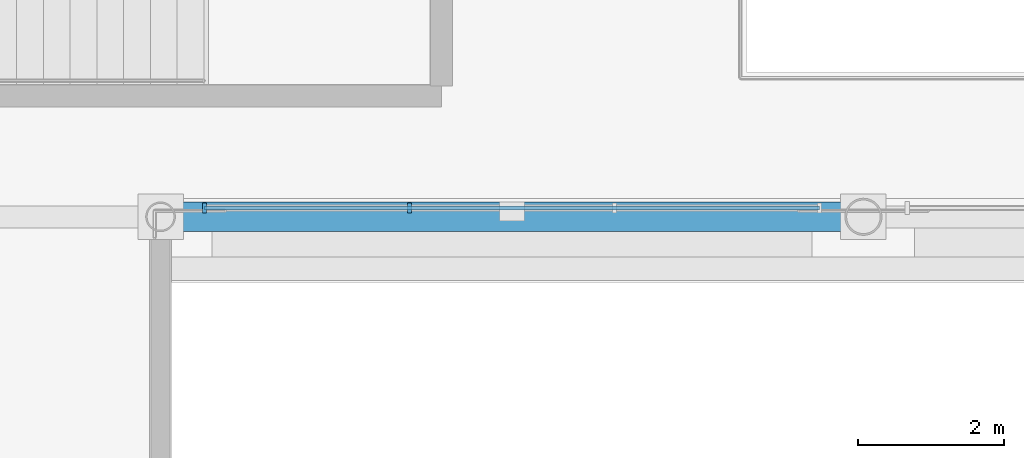
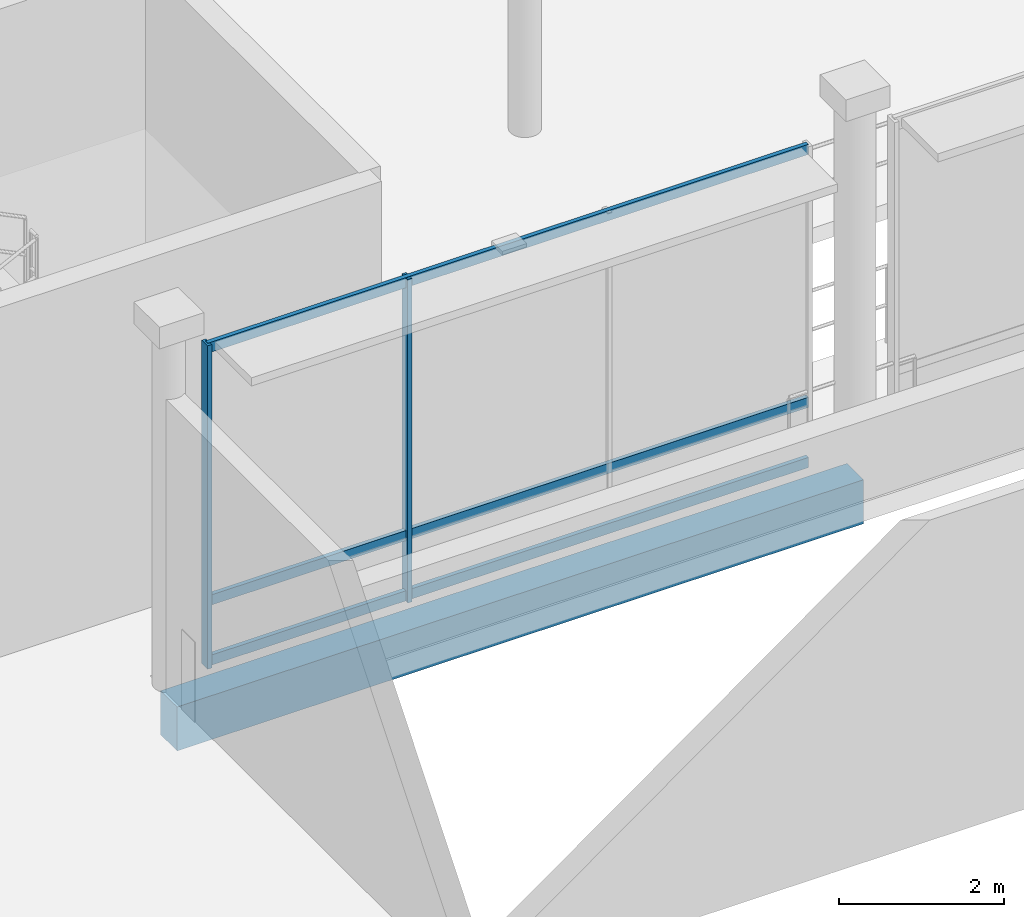
# One storey, part 54 of 129: 5 members, 1 beam, 1 element without a shape of its own.
"""IFC4 building model written with IfcOpenShell, lengths in metres."""

from ifc_helpers import new_model, si_unit, direction, frame, origin, origin_2d, place, context, subcontext, project, spatial, rectangle, extrude, material, material_profile, profile_set, type_object, element, aggregate, save


model = new_model("IFC4")

# Units and contexts
model_context = context("Model", 3, precision=1e-05, world=origin(), true_north=direction((0.0, 1.0)))
body_context = subcontext(model_context, "Body", "Model", "MODEL_VIEW")
ifc_project = project(units=[si_unit("LENGTHUNIT", "METRE"), si_unit("AREAUNIT", "SQUARE_METRE"), si_unit("VOLUMEUNIT", "CUBIC_METRE"), si_unit("PLANEANGLEUNIT", "RADIAN"), si_unit("MASSUNIT", "GRAM", prefix="KILO")], contexts=[model_context])

# Site, building, storey
site_placement = place(None, origin())
site = spatial("IfcSite", under=ifc_project, at=site_placement, CompositionType="ELEMENT")
building_placement = place(site_placement, origin())
building = spatial("IfcBuilding", under=site, at=building_placement, Name="Danafjord Basin Convention Centre", CompositionType="ELEMENT")
storey_placement = place(building_placement, frame((0.0, 0.0, 6.0)))
storey = spatial("IfcBuildingStorey", under=building, at=storey_placement, Name="L01", CompositionType="ELEMENT", Elevation=6.0)

# Beam
ifc_material_1 = material(Name="Precast concrete C45/55", Category="concrete")
ifc_material_profile_1 = material_profile(ifc_material_1, rectangle(XDim=0.39990234375, YDim=0.64990234375, at=origin_2d()), Name="PCB 400x650")
ifc_profile_set_1 = profile_set([ifc_material_profile_1], Name="Precast concrete C45/55")
beam_type = type_object("IfcBeamType", Name="BEAM-SP-PCB650", PredefinedType="SPANDREL", material=ifc_profile_set_1)
beam_placement = place(storey_placement, frame((153.60009765625, 8.0, -0.554931640625), z_axis=(1.0, 0.0, 0.0), x_axis=(0.0, 1.0, 0.0)))
element("IfcBeam", 1, at=beam_placement, inside=storey, type_object=beam_type, Name="L01 girder SP-PCB650", PredefinedType="SPANDREL", context=body_context, shape_type="SweptSolid", body=[
    extrude(rectangle(XDim=0.39990234375, YDim=0.64990234375, at=origin_2d()), origin(), (0.0, 0.0, 1.0), 9.599853515625),
])

# Curtain wall, members
ifc_material_2 = material(Name="Anodised aluminium and triple glazing", Category="aluminium")
curtain_wall_type = type_object("IfcCurtainWallType", Name="CW-CW-HARB", PredefinedType="NOTDEFINED", material=ifc_material_2)
curtain_wall_placement = place(storey_placement, origin())
curtain_wall = element("IfcCurtainWall", 2, at=curtain_wall_placement, inside=storey, type_object=curtain_wall_type, Name="L01 CW-HARB unitised curtain wall bay 145", PredefinedType="NOTDEFINED")
ifc_material_3 = material(Name="Anodised aluminium EN AW-6060", Category="aluminium")
ifc_material_profile_2 = material_profile(ifc_material_3, rectangle(XDim=0.06005859375, YDim=0.139892578125, at=origin_2d()), Name="MULL 60x140")
ifc_profile_set_2 = profile_set([ifc_material_profile_2], Name="Anodised aluminium EN AW-6060")
member_type_1 = type_object("IfcMemberType", Name="MEM-ML-140", PredefinedType="MULLION", material=ifc_profile_set_2)
member_1_placement = place(storey_placement, frame((154.199951171875, 8.1201171875, -0.02490234375), z_axis=(0.0, 0.0, 1.0), x_axis=(1.0, 0.0, 0.0)))
member_1 = element("IfcMember", 3, at=member_1_placement, type_object=member_type_1, Name="CW-L01-145 mullion 1", PredefinedType="MULLION", context=body_context, shape_type="SweptSolid", body=[
    extrude(rectangle(XDim=0.06005859375, YDim=0.139892578125, at=origin_2d()), origin(), (0.0, 0.0, 1.0), 4.784912109375),
])
member_2_placement = place(storey_placement, frame((157.0, 8.1201171875, -0.02490234375), z_axis=(0.0, 0.0, 1.0), x_axis=(1.0, 0.0, 0.0)))
member_2 = element("IfcMember", 4, at=member_2_placement, type_object=member_type_1, Name="CW-L01-145 mullion 2", PredefinedType="MULLION", context=body_context, shape_type="SweptSolid", body=[
    extrude(rectangle(XDim=0.06005859375, YDim=0.139892578125, at=origin_2d()), origin(), (0.0, 0.0, 1.0), 4.784912109375),
])
ifc_material_profile_3 = material_profile(ifc_material_3, rectangle(XDim=0.06005859375, YDim=0.14990234375, at=origin_2d()), Name="TRAN 60x150")
ifc_profile_set_3 = profile_set([ifc_material_profile_3], Name="Anodised aluminium EN AW-6060")
member_type_2 = type_object("IfcMemberType", Name="MEM-TR-150", PredefinedType="USERDEFINED", material=ifc_profile_set_3)
member_3_placement = place(storey_placement, frame((154.199951171875, 8.1201171875, 0.06005859375), z_axis=(1.0, 0.0, 0.0), x_axis=(0.0, 1.0, 0.0)))
member_3 = element("IfcMember", 5, at=member_3_placement, type_object=member_type_2, Name="CW-L01-145 transom 1", ObjectType="TRANSOM", PredefinedType="USERDEFINED", context=body_context, shape_type="SweptSolid", body=[
    extrude(rectangle(XDim=0.06005859375, YDim=0.14990234375, at=origin_2d()), origin(), (0.0, 0.0, 1.0), 8.400146484375),
])
member_4_placement = place(storey_placement, frame((154.199951171875, 8.1201171875, 0.949951171875), z_axis=(1.0, 0.0, 0.0), x_axis=(0.0, 1.0, 0.0)))
member_4 = element("IfcMember", 6, at=member_4_placement, type_object=member_type_2, Name="CW-L01-145 transom 2", ObjectType="TRANSOM", PredefinedType="USERDEFINED", context=body_context, shape_type="SweptSolid", body=[
    extrude(rectangle(XDim=0.06005859375, YDim=0.14990234375, at=origin_2d()), origin(), (0.0, 0.0, 1.0), 8.400146484375),
])
member_5_placement = place(storey_placement, frame((154.199951171875, 8.1201171875, 4.68994140625), z_axis=(1.0, 0.0, 0.0), x_axis=(0.0, 1.0, 0.0)))
member_5 = element("IfcMember", 7, at=member_5_placement, type_object=member_type_2, Name="CW-L01-145 transom 3", ObjectType="TRANSOM", PredefinedType="USERDEFINED", context=body_context, shape_type="SweptSolid", body=[
    extrude(rectangle(XDim=0.06005859375, YDim=0.14990234375, at=origin_2d()), origin(), (0.0, 0.0, 1.0), 8.400146484375),
])
aggregate(curtain_wall, [member_1, member_2, member_3, member_4, member_5])

save(model, "model.ifc")
